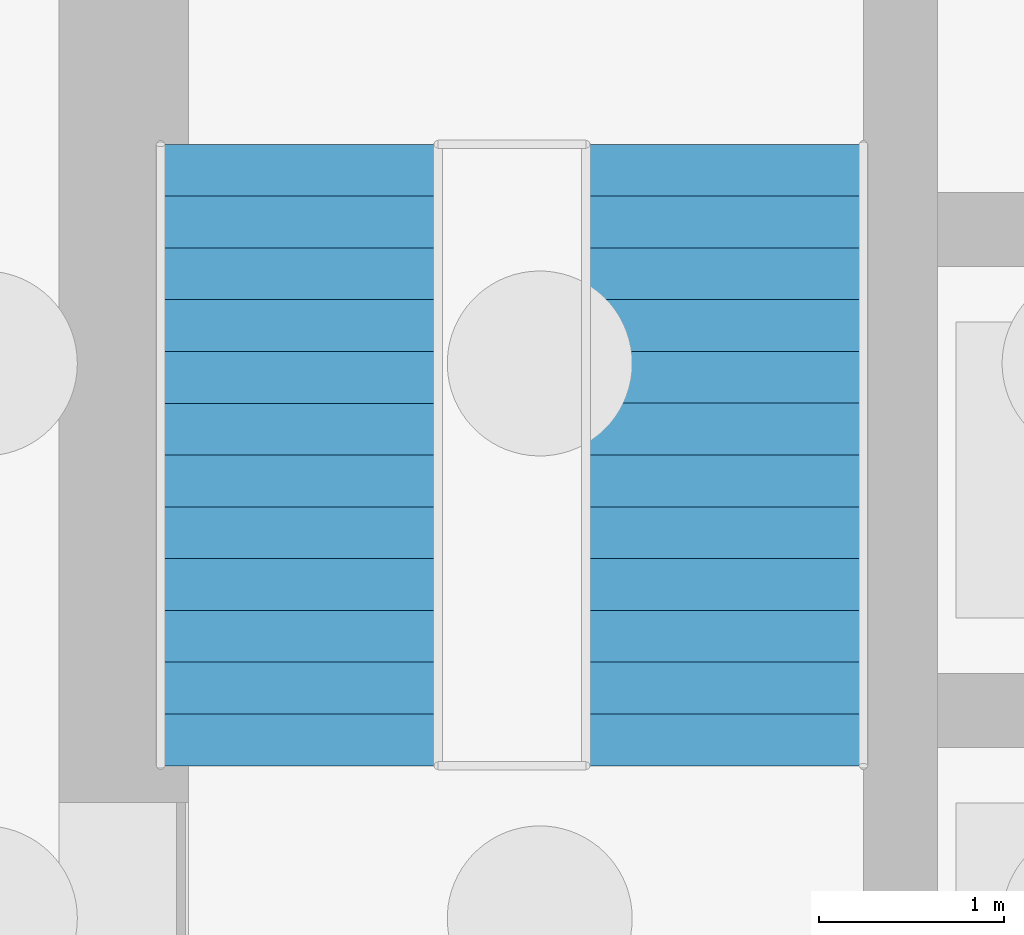
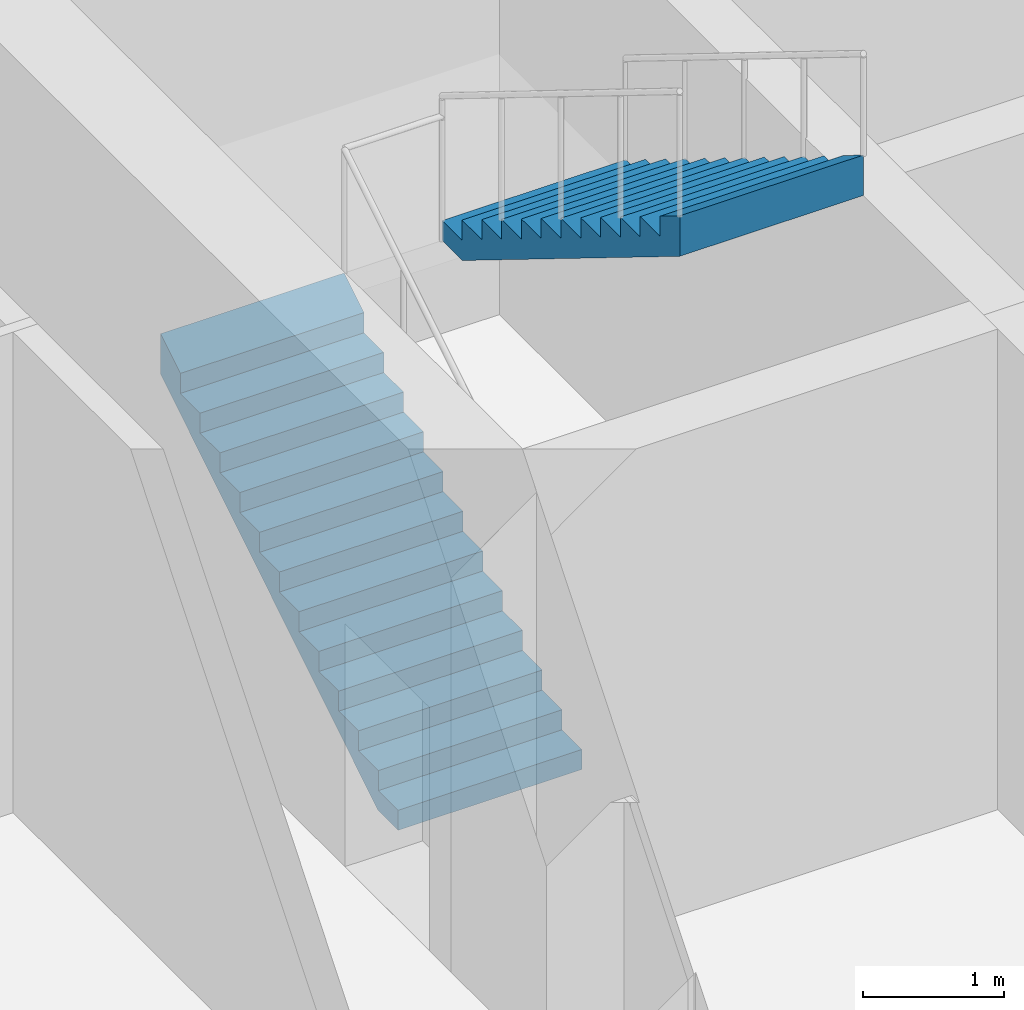
# One storey, part 13 of 16: 2 stair flights, 1 element without a shape of its own.
"""IFC4 building model written with IfcOpenShell, lengths in metres."""

from ifc_helpers import new_model, si_unit, direction, frame, origin, place, context, subcontext, project, spatial, triangles, material, type_object, element, aggregate, save


model = new_model("IFC4")

# Units and contexts
model_context = context("Model", 3, precision=1e-05, world=origin(), true_north=direction((0.0, 1.0)))
body_context = subcontext(model_context, "Body", "Model", "MODEL_VIEW")
ifc_project = project(units=[si_unit("LENGTHUNIT", "METRE"), si_unit("AREAUNIT", "SQUARE_METRE"), si_unit("VOLUMEUNIT", "CUBIC_METRE"), si_unit("PLANEANGLEUNIT", "RADIAN"), si_unit("MASSUNIT", "GRAM", prefix="KILO")], contexts=[model_context])

# Site, building, storey
site_placement = place(None, origin())
site = spatial("IfcSite", under=ifc_project, at=site_placement, CompositionType="ELEMENT")
building_placement = place(site_placement, origin())
building = spatial("IfcBuilding", under=site, at=building_placement, Name="Ludao Terraces", CompositionType="ELEMENT")
storey_placement = place(building_placement, frame((0.0, 0.0, -9.0)))
storey = spatial("IfcBuildingStorey", under=building, at=storey_placement, Name="B2", CompositionType="ELEMENT", Elevation=-9.0)

# Stair, stair flights
ifc_material = material(Name="Concrete C40", Category="concrete")
stair_type = type_object("IfcStairType", Name="INT Stair", PredefinedType="HALF_TURN_STAIR", material=ifc_material)
stair_placement = place(storey_placement, origin())
stair = element("IfcStair", 1, at=stair_placement, inside=storey, type_object=stair_type, Name="EXIT STAIR 1", PredefinedType="HALF_TURN_STAIR")
stair_flight_type = type_object("IfcStairFlightType", Name="INT Stair flight", PredefinedType="STRAIGHT", material=ifc_material)
stair_flight_1_placement = place(storey_placement, frame((76.199951171875, 79.0, 0.0), z_axis=(0.0, 0.0, 1.0), x_axis=(0.0, 1.0, 0.0)))
stair_flight_1 = element("IfcStairFlight", 2, at=stair_flight_1_placement, type_object=stair_flight_type, Name="ST1 flight 1", NumberOfRisers=13, NumberOfTreads=12, PredefinedType="STRAIGHT", RiserHeight=0.173077, TreadLength=0.28, context=body_context, shape_type="Tessellation", body=[
    triangles([(0.0, -0.75, 0.0), (0.0, -0.5, 0.0), (0.0, -0.25, 0.0), (0.0, 0.0, 0.0), (0.0, 0.25, 0.0), (0.0, 0.5, 0.0), (0.0, 0.75, 0.0), (0.0, -0.75, 0.173095703125), (0.0, -0.5, 0.173095703125), (0.0, -0.25, 0.173095703125), (0.0, 0.0, 0.173095703125), (0.0, 0.25, 0.173095703125), (0.0, 0.5, 0.173095703125), (0.0, 0.75, 0.173095703125), (0.280029296875, -0.75, 0.173095703125), (0.280029296875, -0.5, 0.173095703125), (0.280029296875, -0.25, 0.173095703125), (0.280029296875, 0.0, 0.173095703125), (0.280029296875, 0.25, 0.173095703125), (0.280029296875, 0.5, 0.173095703125), (0.280029296875, 0.75, 0.173095703125), (0.280029296875, -0.75, 0.34619140625), (0.280029296875, -0.5, 0.34619140625), (0.280029296875, -0.25, 0.34619140625), (0.280029296875, 0.0, 0.34619140625), (0.280029296875, 0.25, 0.34619140625), (0.280029296875, 0.5, 0.34619140625), (0.280029296875, 0.75, 0.34619140625), (0.56005859375, -0.75, 0.34619140625), (0.56005859375, -0.5, 0.34619140625), (0.56005859375, -0.25, 0.34619140625), (0.56005859375, 0.0, 0.34619140625), (0.56005859375, 0.25, 0.34619140625), (0.56005859375, 0.5, 0.34619140625), (0.56005859375, 0.75, 0.34619140625), (0.56005859375, -0.75, 0.519287109375), (0.56005859375, -0.5, 0.519287109375), (0.56005859375, -0.25, 0.519287109375), (0.56005859375, 0.0, 0.519287109375), (0.56005859375, 0.25, 0.519287109375), (0.56005859375, 0.5, 0.519287109375), (0.56005859375, 0.75, 0.519287109375), (0.840087890625, -0.75, 0.519287109375), (0.840087890625, -0.5, 0.519287109375), (0.840087890625, -0.25, 0.519287109375), (0.840087890625, 0.0, 0.519287109375), (0.840087890625, 0.25, 0.519287109375), (0.840087890625, 0.5, 0.519287109375), (0.840087890625, 0.75, 0.519287109375), (0.840087890625, -0.75, 0.6923828125), (0.840087890625, -0.5, 0.6923828125), (0.840087890625, -0.25, 0.6923828125), (0.840087890625, 0.0, 0.6923828125), (0.840087890625, 0.25, 0.6923828125), (0.840087890625, 0.5, 0.6923828125), (0.840087890625, 0.75, 0.6923828125), (1.1201171875, -0.75, 0.6923828125), (1.1201171875, -0.5, 0.6923828125), (1.1201171875, -0.25, 0.6923828125), (1.1201171875, 0.0, 0.6923828125), (1.1201171875, 0.25, 0.6923828125), (1.1201171875, 0.5, 0.6923828125), (1.1201171875, 0.75, 0.6923828125), (1.1201171875, -0.75, 0.865478515625), (1.1201171875, -0.5, 0.865478515625), (1.1201171875, -0.25, 0.865478515625), (1.1201171875, 0.0, 0.865478515625), (1.1201171875, 0.25, 0.865478515625), (1.1201171875, 0.5, 0.865478515625), (1.1201171875, 0.75, 0.865478515625), (1.39990234375, -0.75, 0.865478515625), (1.39990234375, -0.5, 0.865478515625), (1.39990234375, -0.25, 0.865478515625), (1.39990234375, 0.0, 0.865478515625), (1.39990234375, 0.25, 0.865478515625), (1.39990234375, 0.5, 0.865478515625), (1.39990234375, 0.75, 0.865478515625), (1.39990234375, -0.75, 1.03857421875), (1.39990234375, -0.5, 1.03857421875), (1.39990234375, -0.25, 1.03857421875), (1.39990234375, 0.0, 1.03857421875), (1.39990234375, 0.25, 1.03857421875), (1.39990234375, 0.5, 1.03857421875), (1.39990234375, 0.75, 1.03857421875), (1.679931640625, -0.75, 1.03857421875), (1.679931640625, -0.5, 1.03857421875), (1.679931640625, -0.25, 1.03857421875), (1.679931640625, 0.0, 1.03857421875), (1.679931640625, 0.25, 1.03857421875), (1.679931640625, 0.5, 1.03857421875), (1.679931640625, 0.75, 1.03857421875), (1.679931640625, -0.75, 1.21142578125), (1.679931640625, -0.5, 1.21142578125), (1.679931640625, -0.25, 1.21142578125), (1.679931640625, 0.0, 1.21142578125), (1.679931640625, 0.25, 1.21142578125), (1.679931640625, 0.5, 1.21142578125), (1.679931640625, 0.75, 1.21142578125), (1.9599609375, -0.75, 1.21142578125), (1.9599609375, -0.5, 1.21142578125), (1.9599609375, -0.25, 1.21142578125), (1.9599609375, 0.0, 1.21142578125), (1.9599609375, 0.25, 1.21142578125), (1.9599609375, 0.5, 1.21142578125), (1.9599609375, 0.75, 1.21142578125), (1.9599609375, -0.75, 1.384521484375), (1.9599609375, -0.5, 1.384521484375), (1.9599609375, -0.25, 1.384521484375), (1.9599609375, 0.0, 1.384521484375), (1.9599609375, 0.25, 1.384521484375), (1.9599609375, 0.5, 1.384521484375), (1.9599609375, 0.75, 1.384521484375), (2.239990234375, -0.75, 1.384521484375), (2.239990234375, -0.5, 1.384521484375), (2.239990234375, -0.25, 1.384521484375), (2.239990234375, 0.0, 1.384521484375), (2.239990234375, 0.25, 1.384521484375), (2.239990234375, 0.5, 1.384521484375), (2.239990234375, 0.75, 1.384521484375), (2.239990234375, -0.75, 1.5576171875), (2.239990234375, -0.5, 1.5576171875), (2.239990234375, -0.25, 1.5576171875), (2.239990234375, 0.0, 1.5576171875), (2.239990234375, 0.25, 1.5576171875), (2.239990234375, 0.5, 1.5576171875), (2.239990234375, 0.75, 1.5576171875), (2.52001953125, -0.75, 1.5576171875), (2.52001953125, -0.5, 1.5576171875), (2.52001953125, -0.25, 1.5576171875), (2.52001953125, 0.0, 1.5576171875), (2.52001953125, 0.25, 1.5576171875), (2.52001953125, 0.5, 1.5576171875), (2.52001953125, 0.75, 1.5576171875), (2.52001953125, -0.75, 1.730712890625), (2.52001953125, -0.5, 1.730712890625), (2.52001953125, -0.25, 1.730712890625), (2.52001953125, 0.0, 1.730712890625), (2.52001953125, 0.25, 1.730712890625), (2.52001953125, 0.5, 1.730712890625), (2.52001953125, 0.75, 1.730712890625), (2.800048828125, -0.75, 1.730712890625), (2.800048828125, -0.5, 1.730712890625), (2.800048828125, -0.25, 1.730712890625), (2.800048828125, 0.0, 1.730712890625), (2.800048828125, 0.25, 1.730712890625), (2.800048828125, 0.5, 1.730712890625), (2.800048828125, 0.75, 1.730712890625), (2.800048828125, -0.75, 1.90380859375), (2.800048828125, -0.5, 1.90380859375), (2.800048828125, -0.25, 1.90380859375), (2.800048828125, 0.0, 1.90380859375), (2.800048828125, 0.25, 1.90380859375), (2.800048828125, 0.5, 1.90380859375), (2.800048828125, 0.75, 1.90380859375), (3.080078125, -0.75, 1.90380859375), (3.080078125, -0.5, 1.90380859375), (3.080078125, -0.25, 1.90380859375), (3.080078125, 0.0, 1.90380859375), (3.080078125, 0.25, 1.90380859375), (3.080078125, 0.5, 1.90380859375), (3.080078125, 0.75, 1.90380859375), (3.080078125, -0.75, 2.076904296875), (3.080078125, -0.5, 2.076904296875), (3.080078125, -0.25, 2.076904296875), (3.080078125, 0.0, 2.076904296875), (3.080078125, 0.25, 2.076904296875), (3.080078125, 0.5, 2.076904296875), (3.080078125, 0.75, 2.076904296875), (3.360107421875, -0.75, 2.25), (3.360107421875, -0.5, 2.25), (3.360107421875, -0.25, 2.25), (3.360107421875, 0.0, 2.25), (3.360107421875, 0.25, 2.25), (3.360107421875, 0.5, 2.25), (3.360107421875, 0.75, 2.25), (3.360107421875, -0.75, 1.900634765625), (3.360107421875, -0.5, 1.900634765625), (3.360107421875, -0.25, 1.900634765625), (3.360107421875, 0.0, 1.900634765625), (3.360107421875, 0.25, 1.900634765625), (3.360107421875, 0.5, 1.900634765625), (3.360107421875, 0.75, 1.900634765625), (0.28515625, -0.75, 0.0), (0.28515625, -0.5, 0.0), (0.28515625, -0.25, 0.0), (0.28515625, 0.0, 0.0), (0.28515625, 0.25, 0.0), (0.28515625, 0.5, 0.0), (0.28515625, 0.75, 0.0)], [[1, 183, 176], [7, 182, 189], [176, 169, 162], [182, 168, 175], [176, 162, 155], [182, 161, 168], [176, 155, 148], [182, 154, 161], [176, 148, 141], [182, 147, 154], [141, 134, 127], [147, 133, 140], [176, 141, 127], [182, 133, 147], [127, 120, 113], [133, 119, 126], [176, 127, 113], [182, 119, 133], [113, 106, 99], [119, 105, 112], [176, 113, 99], [182, 105, 119], [1, 176, 99], [7, 105, 182], [99, 92, 85], [105, 91, 98], [85, 78, 71], [91, 77, 84], [99, 85, 71], [105, 77, 91], [71, 64, 57], [77, 63, 70], [99, 71, 57], [105, 63, 77], [57, 50, 43], [63, 49, 56], [99, 57, 43], [105, 49, 63], [43, 36, 29], [49, 35, 42], [99, 43, 29], [105, 35, 49], [29, 22, 15], [35, 21, 28], [99, 29, 15], [105, 21, 35], [1, 99, 15], [7, 21, 105], [15, 8, 1], [21, 7, 14], [1, 9, 2], [1, 8, 9], [2, 10, 3], [2, 9, 10], [3, 11, 4], [3, 10, 11], [4, 12, 5], [4, 11, 12], [5, 13, 6], [5, 12, 13], [6, 14, 7], [6, 13, 14], [8, 16, 9], [8, 15, 16], [9, 17, 10], [9, 16, 17], [10, 18, 11], [10, 17, 18], [11, 19, 12], [11, 18, 19], [12, 20, 13], [12, 19, 20], [13, 21, 14], [13, 20, 21], [15, 23, 16], [15, 22, 23], [16, 24, 17], [16, 23, 24], [17, 25, 18], [17, 24, 25], [18, 26, 19], [18, 25, 26], [19, 27, 20], [19, 26, 27], [20, 28, 21], [20, 27, 28], [22, 30, 23], [22, 29, 30], [23, 31, 24], [23, 30, 31], [24, 32, 25], [24, 31, 32], [25, 33, 26], [25, 32, 33], [26, 34, 27], [26, 33, 34], [27, 35, 28], [27, 34, 35], [29, 37, 30], [29, 36, 37], [30, 38, 31], [30, 37, 38], [31, 39, 32], [31, 38, 39], [32, 40, 33], [32, 39, 40], [33, 41, 34], [33, 40, 41], [34, 42, 35], [34, 41, 42], [36, 44, 37], [36, 43, 44], [37, 45, 38], [37, 44, 45], [38, 46, 39], [38, 45, 46], [39, 47, 40], [39, 46, 47], [40, 48, 41], [40, 47, 48], [41, 49, 42], [41, 48, 49], [43, 51, 44], [43, 50, 51], [44, 52, 45], [44, 51, 52], [45, 53, 46], [45, 52, 53], [46, 54, 47], [46, 53, 54], [47, 55, 48], [47, 54, 55], [48, 56, 49], [48, 55, 56], [50, 58, 51], [50, 57, 58], [51, 59, 52], [51, 58, 59], [52, 60, 53], [52, 59, 60], [53, 61, 54], [53, 60, 61], [54, 62, 55], [54, 61, 62], [55, 63, 56], [55, 62, 63], [57, 65, 58], [57, 64, 65], [58, 66, 59], [58, 65, 66], [59, 67, 60], [59, 66, 67], [60, 68, 61], [60, 67, 68], [61, 69, 62], [61, 68, 69], [62, 70, 63], [62, 69, 70], [64, 72, 65], [64, 71, 72], [65, 73, 66], [65, 72, 73], [66, 74, 67], [66, 73, 74], [67, 75, 68], [67, 74, 75], [68, 76, 69], [68, 75, 76], [69, 77, 70], [69, 76, 77], [71, 79, 72], [71, 78, 79], [72, 80, 73], [72, 79, 80], [73, 81, 74], [73, 80, 81], [74, 82, 75], [74, 81, 82], [75, 83, 76], [75, 82, 83], [76, 84, 77], [76, 83, 84], [78, 86, 79], [78, 85, 86], [79, 87, 80], [79, 86, 87], [80, 88, 81], [80, 87, 88], [81, 89, 82], [81, 88, 89], [82, 90, 83], [82, 89, 90], [83, 91, 84], [83, 90, 91], [85, 93, 86], [85, 92, 93], [86, 94, 87], [86, 93, 94], [87, 95, 88], [87, 94, 95], [88, 96, 89], [88, 95, 96], [89, 97, 90], [89, 96, 97], [90, 98, 91], [90, 97, 98], [92, 100, 93], [92, 99, 100], [93, 101, 94], [93, 100, 101], [94, 102, 95], [94, 101, 102], [95, 103, 96], [95, 102, 103], [96, 104, 97], [96, 103, 104], [97, 105, 98], [97, 104, 105], [99, 107, 100], [99, 106, 107], [100, 108, 101], [100, 107, 108], [101, 109, 102], [101, 108, 109], [102, 110, 103], [102, 109, 110], [103, 111, 104], [103, 110, 111], [104, 112, 105], [104, 111, 112], [106, 114, 107], [106, 113, 114], [107, 115, 108], [107, 114, 115], [108, 116, 109], [108, 115, 116], [109, 117, 110], [109, 116, 117], [110, 118, 111], [110, 117, 118], [111, 119, 112], [111, 118, 119], [113, 121, 114], [113, 120, 121], [114, 122, 115], [114, 121, 122], [115, 123, 116], [115, 122, 123], [116, 124, 117], [116, 123, 124], [117, 125, 118], [117, 124, 125], [118, 126, 119], [118, 125, 126], [120, 128, 121], [120, 127, 128], [121, 129, 122], [121, 128, 129], [122, 130, 123], [122, 129, 130], [123, 131, 124], [123, 130, 131], [124, 132, 125], [124, 131, 132], [125, 133, 126], [125, 132, 133], [127, 135, 128], [127, 134, 135], [128, 136, 129], [128, 135, 136], [129, 137, 130], [129, 136, 137], [130, 138, 131], [130, 137, 138], [131, 139, 132], [131, 138, 139], [132, 140, 133], [132, 139, 140], [134, 142, 135], [134, 141, 142], [135, 143, 136], [135, 142, 143], [136, 144, 137], [136, 143, 144], [137, 145, 138], [137, 144, 145], [138, 146, 139], [138, 145, 146], [139, 147, 140], [139, 146, 147], [141, 149, 142], [141, 148, 149], [142, 150, 143], [142, 149, 150], [143, 151, 144], [143, 150, 151], [144, 152, 145], [144, 151, 152], [145, 153, 146], [145, 152, 153], [146, 154, 147], [146, 153, 154], [148, 156, 149], [148, 155, 156], [149, 157, 150], [149, 156, 157], [150, 158, 151], [150, 157, 158], [151, 159, 152], [151, 158, 159], [152, 160, 153], [152, 159, 160], [153, 161, 154], [153, 160, 161], [155, 163, 156], [155, 162, 163], [156, 164, 157], [156, 163, 164], [157, 165, 158], [157, 164, 165], [158, 166, 159], [158, 165, 166], [159, 167, 160], [159, 166, 167], [160, 168, 161], [160, 167, 168], [162, 170, 163], [162, 169, 170], [163, 171, 164], [163, 170, 171], [164, 172, 165], [164, 171, 172], [165, 173, 166], [165, 172, 173], [166, 174, 167], [166, 173, 174], [167, 175, 168], [167, 174, 175], [169, 177, 170], [169, 176, 177], [170, 178, 171], [170, 177, 178], [171, 179, 172], [171, 178, 179], [172, 180, 173], [172, 179, 180], [173, 181, 174], [173, 180, 181], [174, 182, 175], [174, 181, 182], [176, 184, 177], [176, 183, 184], [177, 185, 178], [177, 184, 185], [178, 186, 179], [178, 185, 186], [179, 187, 180], [179, 186, 187], [180, 188, 181], [180, 187, 188], [181, 189, 182], [181, 188, 189], [183, 2, 184], [183, 1, 2], [184, 3, 185], [184, 2, 3], [185, 4, 186], [185, 3, 4], [186, 5, 187], [186, 4, 5], [187, 6, 188], [187, 5, 6], [188, 7, 189], [188, 6, 7]], closed=True),
])
stair_flight_2_placement = place(storey_placement, frame((78.5, 82.360107421875, 2.25), z_axis=(0.0, 0.0, 1.0), x_axis=(0.0, -1.0, 0.0)))
stair_flight_2 = element("IfcStairFlight", 3, at=stair_flight_2_placement, type_object=stair_flight_type, Name="ST1 flight 2", NumberOfRisers=13, NumberOfTreads=12, PredefinedType="STRAIGHT", RiserHeight=0.173077, TreadLength=0.28, context=body_context, shape_type="Tessellation", body=[
    triangles([(0.0, -0.75, 0.0), (0.0, -0.5, 0.0), (0.0, -0.25, 0.0), (0.0, 0.0, 0.0), (0.0, 0.25, 0.0), (0.0, 0.5, 0.0), (0.0, 0.75, 0.0), (0.0, -0.75, 0.173095703125), (0.0, -0.5, 0.173095703125), (0.0, -0.25, 0.173095703125), (0.0, 0.0, 0.173095703125), (0.0, 0.25, 0.173095703125), (0.0, 0.5, 0.173095703125), (0.0, 0.75, 0.173095703125), (0.280029296875, -0.75, 0.173095703125), (0.280029296875, -0.5, 0.173095703125), (0.280029296875, -0.25, 0.173095703125), (0.280029296875, 0.0, 0.173095703125), (0.280029296875, 0.25, 0.173095703125), (0.280029296875, 0.5, 0.173095703125), (0.280029296875, 0.75, 0.173095703125), (0.280029296875, -0.75, 0.34619140625), (0.280029296875, -0.5, 0.34619140625), (0.280029296875, -0.25, 0.34619140625), (0.280029296875, 0.0, 0.34619140625), (0.280029296875, 0.25, 0.34619140625), (0.280029296875, 0.5, 0.34619140625), (0.280029296875, 0.75, 0.34619140625), (0.56005859375, -0.75, 0.34619140625), (0.56005859375, -0.5, 0.34619140625), (0.56005859375, -0.25, 0.34619140625), (0.56005859375, 0.0, 0.34619140625), (0.56005859375, 0.25, 0.34619140625), (0.56005859375, 0.5, 0.34619140625), (0.56005859375, 0.75, 0.34619140625), (0.56005859375, -0.75, 0.519287109375), (0.56005859375, -0.5, 0.519287109375), (0.56005859375, -0.25, 0.519287109375), (0.56005859375, 0.0, 0.519287109375), (0.56005859375, 0.25, 0.519287109375), (0.56005859375, 0.5, 0.519287109375), (0.56005859375, 0.75, 0.519287109375), (0.840087890625, -0.75, 0.519287109375), (0.840087890625, -0.5, 0.519287109375), (0.840087890625, -0.25, 0.519287109375), (0.840087890625, 0.0, 0.519287109375), (0.840087890625, 0.25, 0.519287109375), (0.840087890625, 0.5, 0.519287109375), (0.840087890625, 0.75, 0.519287109375), (0.840087890625, -0.75, 0.6923828125), (0.840087890625, -0.5, 0.6923828125), (0.840087890625, -0.25, 0.6923828125), (0.840087890625, 0.0, 0.6923828125), (0.840087890625, 0.25, 0.6923828125), (0.840087890625, 0.5, 0.6923828125), (0.840087890625, 0.75, 0.6923828125), (1.1201171875, -0.75, 0.6923828125), (1.1201171875, -0.5, 0.6923828125), (1.1201171875, -0.25, 0.6923828125), (1.1201171875, 0.0, 0.6923828125), (1.1201171875, 0.25, 0.6923828125), (1.1201171875, 0.5, 0.6923828125), (1.1201171875, 0.75, 0.6923828125), (1.1201171875, -0.75, 0.865478515625), (1.1201171875, -0.5, 0.865478515625), (1.1201171875, -0.25, 0.865478515625), (1.1201171875, 0.0, 0.865478515625), (1.1201171875, 0.25, 0.865478515625), (1.1201171875, 0.5, 0.865478515625), (1.1201171875, 0.75, 0.865478515625), (1.39990234375, -0.75, 0.865478515625), (1.39990234375, -0.5, 0.865478515625), (1.39990234375, -0.25, 0.865478515625), (1.39990234375, 0.0, 0.865478515625), (1.39990234375, 0.25, 0.865478515625), (1.39990234375, 0.5, 0.865478515625), (1.39990234375, 0.75, 0.865478515625), (1.39990234375, -0.75, 1.03857421875), (1.39990234375, -0.5, 1.03857421875), (1.39990234375, -0.25, 1.03857421875), (1.39990234375, 0.0, 1.03857421875), (1.39990234375, 0.25, 1.03857421875), (1.39990234375, 0.5, 1.03857421875), (1.39990234375, 0.75, 1.03857421875), (1.679931640625, -0.75, 1.03857421875), (1.679931640625, -0.5, 1.03857421875), (1.679931640625, -0.25, 1.03857421875), (1.679931640625, 0.0, 1.03857421875), (1.679931640625, 0.25, 1.03857421875), (1.679931640625, 0.5, 1.03857421875), (1.679931640625, 0.75, 1.03857421875), (1.679931640625, -0.75, 1.21142578125), (1.679931640625, -0.5, 1.21142578125), (1.679931640625, -0.25, 1.21142578125), (1.679931640625, 0.0, 1.21142578125), (1.679931640625, 0.25, 1.21142578125), (1.679931640625, 0.5, 1.21142578125), (1.679931640625, 0.75, 1.21142578125), (1.9599609375, -0.75, 1.21142578125), (1.9599609375, -0.5, 1.21142578125), (1.9599609375, -0.25, 1.21142578125), (1.9599609375, 0.0, 1.21142578125), (1.9599609375, 0.25, 1.21142578125), (1.9599609375, 0.5, 1.21142578125), (1.9599609375, 0.75, 1.21142578125), (1.9599609375, -0.75, 1.384521484375), (1.9599609375, -0.5, 1.384521484375), (1.9599609375, -0.25, 1.384521484375), (1.9599609375, 0.0, 1.384521484375), (1.9599609375, 0.25, 1.384521484375), (1.9599609375, 0.5, 1.384521484375), (1.9599609375, 0.75, 1.384521484375), (2.239990234375, -0.75, 1.384521484375), (2.239990234375, -0.5, 1.384521484375), (2.239990234375, -0.25, 1.384521484375), (2.239990234375, 0.0, 1.384521484375), (2.239990234375, 0.25, 1.384521484375), (2.239990234375, 0.5, 1.384521484375), (2.239990234375, 0.75, 1.384521484375), (2.239990234375, -0.75, 1.5576171875), (2.239990234375, -0.5, 1.5576171875), (2.239990234375, -0.25, 1.5576171875), (2.239990234375, 0.0, 1.5576171875), (2.239990234375, 0.25, 1.5576171875), (2.239990234375, 0.5, 1.5576171875), (2.239990234375, 0.75, 1.5576171875), (2.52001953125, -0.75, 1.5576171875), (2.52001953125, -0.5, 1.5576171875), (2.52001953125, -0.25, 1.5576171875), (2.52001953125, 0.0, 1.5576171875), (2.52001953125, 0.25, 1.5576171875), (2.52001953125, 0.5, 1.5576171875), (2.52001953125, 0.75, 1.5576171875), (2.52001953125, -0.75, 1.730712890625), (2.52001953125, -0.5, 1.730712890625), (2.52001953125, -0.25, 1.730712890625), (2.52001953125, 0.0, 1.730712890625), (2.52001953125, 0.25, 1.730712890625), (2.52001953125, 0.5, 1.730712890625), (2.52001953125, 0.75, 1.730712890625), (2.800048828125, -0.75, 1.730712890625), (2.800048828125, -0.5, 1.730712890625), (2.800048828125, -0.25, 1.730712890625), (2.800048828125, 0.0, 1.730712890625), (2.800048828125, 0.25, 1.730712890625), (2.800048828125, 0.5, 1.730712890625), (2.800048828125, 0.75, 1.730712890625), (2.800048828125, -0.75, 1.90380859375), (2.800048828125, -0.5, 1.90380859375), (2.800048828125, -0.25, 1.90380859375), (2.800048828125, 0.0, 1.90380859375), (2.800048828125, 0.25, 1.90380859375), (2.800048828125, 0.5, 1.90380859375), (2.800048828125, 0.75, 1.90380859375), (3.080078125, -0.75, 1.90380859375), (3.080078125, -0.5, 1.90380859375), (3.080078125, -0.25, 1.90380859375), (3.080078125, 0.0, 1.90380859375), (3.080078125, 0.25, 1.90380859375), (3.080078125, 0.5, 1.90380859375), (3.080078125, 0.75, 1.90380859375), (3.080078125, -0.75, 2.076904296875), (3.080078125, -0.5, 2.076904296875), (3.080078125, -0.25, 2.076904296875), (3.080078125, 0.0, 2.076904296875), (3.080078125, 0.25, 2.076904296875), (3.080078125, 0.5, 2.076904296875), (3.080078125, 0.75, 2.076904296875), (3.360107421875, -0.75, 2.25), (3.360107421875, -0.5, 2.25), (3.360107421875, -0.25, 2.25), (3.360107421875, 0.0, 2.25), (3.360107421875, 0.25, 2.25), (3.360107421875, 0.5, 2.25), (3.360107421875, 0.75, 2.25), (3.360107421875, -0.75, 1.900634765625), (3.360107421875, -0.5, 1.900634765625), (3.360107421875, -0.25, 1.900634765625), (3.360107421875, 0.0, 1.900634765625), (3.360107421875, 0.25, 1.900634765625), (3.360107421875, 0.5, 1.900634765625), (3.360107421875, 0.75, 1.900634765625), (0.28515625, -0.75, 0.0), (0.28515625, -0.5, 0.0), (0.28515625, -0.25, 0.0), (0.28515625, 0.0, 0.0), (0.28515625, 0.25, 0.0), (0.28515625, 0.5, 0.0), (0.28515625, 0.75, 0.0)], [[1, 183, 176], [7, 182, 189], [176, 169, 162], [182, 168, 175], [176, 162, 155], [182, 161, 168], [176, 155, 148], [182, 154, 161], [176, 148, 141], [182, 147, 154], [141, 134, 127], [147, 133, 140], [176, 141, 127], [182, 133, 147], [127, 120, 113], [133, 119, 126], [176, 127, 113], [182, 119, 133], [113, 106, 99], [119, 105, 112], [176, 113, 99], [182, 105, 119], [1, 176, 99], [7, 105, 182], [99, 92, 85], [105, 91, 98], [85, 78, 71], [91, 77, 84], [99, 85, 71], [105, 77, 91], [71, 64, 57], [77, 63, 70], [99, 71, 57], [105, 63, 77], [57, 50, 43], [63, 49, 56], [99, 57, 43], [105, 49, 63], [43, 36, 29], [49, 35, 42], [99, 43, 29], [105, 35, 49], [29, 22, 15], [35, 21, 28], [99, 29, 15], [105, 21, 35], [1, 99, 15], [7, 21, 105], [15, 8, 1], [21, 7, 14], [1, 9, 2], [1, 8, 9], [2, 10, 3], [2, 9, 10], [3, 11, 4], [3, 10, 11], [4, 12, 5], [4, 11, 12], [5, 13, 6], [5, 12, 13], [6, 14, 7], [6, 13, 14], [8, 16, 9], [8, 15, 16], [9, 17, 10], [9, 16, 17], [10, 18, 11], [10, 17, 18], [11, 19, 12], [11, 18, 19], [12, 20, 13], [12, 19, 20], [13, 21, 14], [13, 20, 21], [15, 23, 16], [15, 22, 23], [16, 24, 17], [16, 23, 24], [17, 25, 18], [17, 24, 25], [18, 26, 19], [18, 25, 26], [19, 27, 20], [19, 26, 27], [20, 28, 21], [20, 27, 28], [22, 30, 23], [22, 29, 30], [23, 31, 24], [23, 30, 31], [24, 32, 25], [24, 31, 32], [25, 33, 26], [25, 32, 33], [26, 34, 27], [26, 33, 34], [27, 35, 28], [27, 34, 35], [29, 37, 30], [29, 36, 37], [30, 38, 31], [30, 37, 38], [31, 39, 32], [31, 38, 39], [32, 40, 33], [32, 39, 40], [33, 41, 34], [33, 40, 41], [34, 42, 35], [34, 41, 42], [36, 44, 37], [36, 43, 44], [37, 45, 38], [37, 44, 45], [38, 46, 39], [38, 45, 46], [39, 47, 40], [39, 46, 47], [40, 48, 41], [40, 47, 48], [41, 49, 42], [41, 48, 49], [43, 51, 44], [43, 50, 51], [44, 52, 45], [44, 51, 52], [45, 53, 46], [45, 52, 53], [46, 54, 47], [46, 53, 54], [47, 55, 48], [47, 54, 55], [48, 56, 49], [48, 55, 56], [50, 58, 51], [50, 57, 58], [51, 59, 52], [51, 58, 59], [52, 60, 53], [52, 59, 60], [53, 61, 54], [53, 60, 61], [54, 62, 55], [54, 61, 62], [55, 63, 56], [55, 62, 63], [57, 65, 58], [57, 64, 65], [58, 66, 59], [58, 65, 66], [59, 67, 60], [59, 66, 67], [60, 68, 61], [60, 67, 68], [61, 69, 62], [61, 68, 69], [62, 70, 63], [62, 69, 70], [64, 72, 65], [64, 71, 72], [65, 73, 66], [65, 72, 73], [66, 74, 67], [66, 73, 74], [67, 75, 68], [67, 74, 75], [68, 76, 69], [68, 75, 76], [69, 77, 70], [69, 76, 77], [71, 79, 72], [71, 78, 79], [72, 80, 73], [72, 79, 80], [73, 81, 74], [73, 80, 81], [74, 82, 75], [74, 81, 82], [75, 83, 76], [75, 82, 83], [76, 84, 77], [76, 83, 84], [78, 86, 79], [78, 85, 86], [79, 87, 80], [79, 86, 87], [80, 88, 81], [80, 87, 88], [81, 89, 82], [81, 88, 89], [82, 90, 83], [82, 89, 90], [83, 91, 84], [83, 90, 91], [85, 93, 86], [85, 92, 93], [86, 94, 87], [86, 93, 94], [87, 95, 88], [87, 94, 95], [88, 96, 89], [88, 95, 96], [89, 97, 90], [89, 96, 97], [90, 98, 91], [90, 97, 98], [92, 100, 93], [92, 99, 100], [93, 101, 94], [93, 100, 101], [94, 102, 95], [94, 101, 102], [95, 103, 96], [95, 102, 103], [96, 104, 97], [96, 103, 104], [97, 105, 98], [97, 104, 105], [99, 107, 100], [99, 106, 107], [100, 108, 101], [100, 107, 108], [101, 109, 102], [101, 108, 109], [102, 110, 103], [102, 109, 110], [103, 111, 104], [103, 110, 111], [104, 112, 105], [104, 111, 112], [106, 114, 107], [106, 113, 114], [107, 115, 108], [107, 114, 115], [108, 116, 109], [108, 115, 116], [109, 117, 110], [109, 116, 117], [110, 118, 111], [110, 117, 118], [111, 119, 112], [111, 118, 119], [113, 121, 114], [113, 120, 121], [114, 122, 115], [114, 121, 122], [115, 123, 116], [115, 122, 123], [116, 124, 117], [116, 123, 124], [117, 125, 118], [117, 124, 125], [118, 126, 119], [118, 125, 126], [120, 128, 121], [120, 127, 128], [121, 129, 122], [121, 128, 129], [122, 130, 123], [122, 129, 130], [123, 131, 124], [123, 130, 131], [124, 132, 125], [124, 131, 132], [125, 133, 126], [125, 132, 133], [127, 135, 128], [127, 134, 135], [128, 136, 129], [128, 135, 136], [129, 137, 130], [129, 136, 137], [130, 138, 131], [130, 137, 138], [131, 139, 132], [131, 138, 139], [132, 140, 133], [132, 139, 140], [134, 142, 135], [134, 141, 142], [135, 143, 136], [135, 142, 143], [136, 144, 137], [136, 143, 144], [137, 145, 138], [137, 144, 145], [138, 146, 139], [138, 145, 146], [139, 147, 140], [139, 146, 147], [141, 149, 142], [141, 148, 149], [142, 150, 143], [142, 149, 150], [143, 151, 144], [143, 150, 151], [144, 152, 145], [144, 151, 152], [145, 153, 146], [145, 152, 153], [146, 154, 147], [146, 153, 154], [148, 156, 149], [148, 155, 156], [149, 157, 150], [149, 156, 157], [150, 158, 151], [150, 157, 158], [151, 159, 152], [151, 158, 159], [152, 160, 153], [152, 159, 160], [153, 161, 154], [153, 160, 161], [155, 163, 156], [155, 162, 163], [156, 164, 157], [156, 163, 164], [157, 165, 158], [157, 164, 165], [158, 166, 159], [158, 165, 166], [159, 167, 160], [159, 166, 167], [160, 168, 161], [160, 167, 168], [162, 170, 163], [162, 169, 170], [163, 171, 164], [163, 170, 171], [164, 172, 165], [164, 171, 172], [165, 173, 166], [165, 172, 173], [166, 174, 167], [166, 173, 174], [167, 175, 168], [167, 174, 175], [169, 177, 170], [169, 176, 177], [170, 178, 171], [170, 177, 178], [171, 179, 172], [171, 178, 179], [172, 180, 173], [172, 179, 180], [173, 181, 174], [173, 180, 181], [174, 182, 175], [174, 181, 182], [176, 184, 177], [176, 183, 184], [177, 185, 178], [177, 184, 185], [178, 186, 179], [178, 185, 186], [179, 187, 180], [179, 186, 187], [180, 188, 181], [180, 187, 188], [181, 189, 182], [181, 188, 189], [183, 2, 184], [183, 1, 2], [184, 3, 185], [184, 2, 3], [185, 4, 186], [185, 3, 4], [186, 5, 187], [186, 4, 5], [187, 6, 188], [187, 5, 6], [188, 7, 189], [188, 6, 7]], closed=True),
])
aggregate(stair, [stair_flight_1, stair_flight_2])

save(model, "model.ifc")
